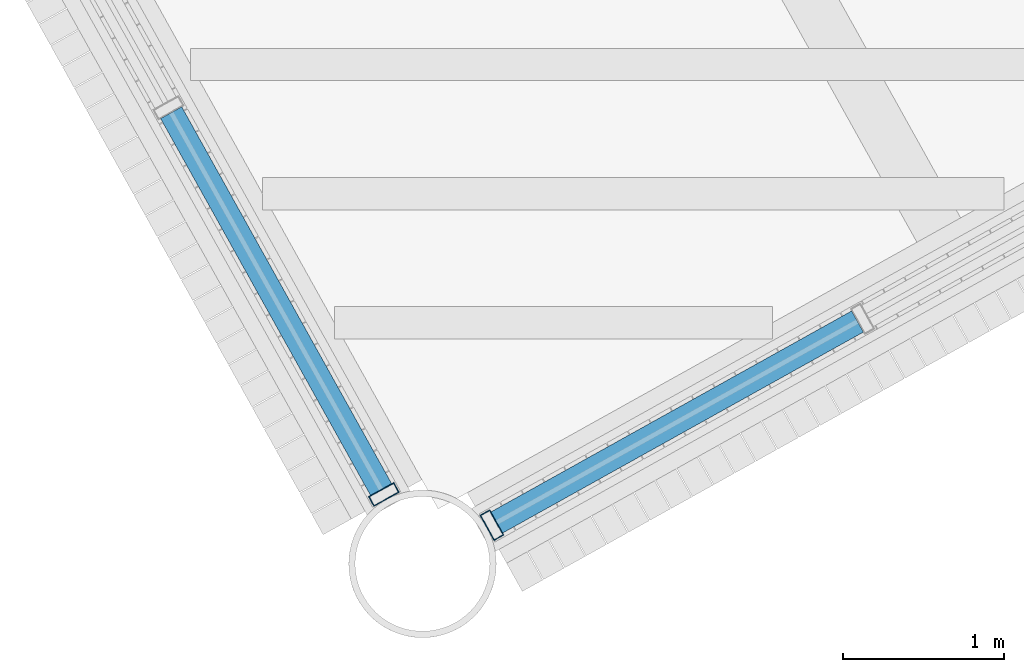
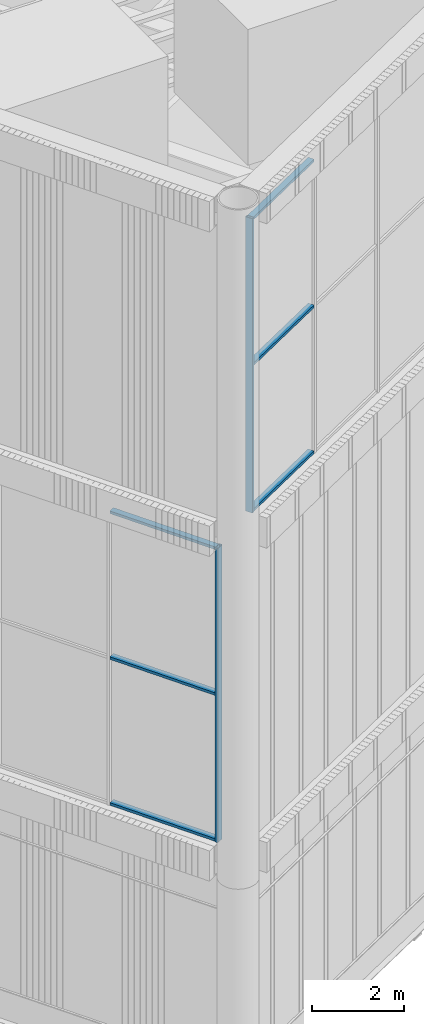
# One storey, part 2 of 117: 8 members, 2 elements without a shape of their own.
"""IFC4 building model written with IfcOpenShell, lengths in metres."""

from ifc_helpers import new_model, si_unit, direction, frame, origin, origin_2d, place, context, subcontext, project, spatial, hollow_rectangle, extrude, material, layer, layer_set, material_profile, profile_set, type_object, element, aggregate, save


model = new_model("IFC4")

# Units and contexts
model_context = context("Model", 3, precision=1e-05, world=origin(), true_north=direction((0.0, 1.0)))
body_context = subcontext(model_context, "Body", "Model", "MODEL_VIEW")
ifc_project = project(units=[si_unit("LENGTHUNIT", "METRE"), si_unit("AREAUNIT", "SQUARE_METRE"), si_unit("VOLUMEUNIT", "CUBIC_METRE"), si_unit("PLANEANGLEUNIT", "RADIAN"), si_unit("MASSUNIT", "GRAM", prefix="KILO")], contexts=[model_context])

# Site, building, storey
site_placement = place(None, origin())
site = spatial("IfcSite", under=ifc_project, at=site_placement, CompositionType="ELEMENT")
building_placement = place(site_placement, origin())
building = spatial("IfcBuilding", under=site, at=building_placement, Name="Tarsis Ring Headquarters", CompositionType="ELEMENT")
storey_placement = place(building_placement, frame((0.0, 0.0, 403.60009765625)))
storey = spatial("IfcBuildingStorey", under=building, at=storey_placement, Name="L95", CompositionType="ELEMENT", Elevation=403.60009765625)

# Curtain wall, member
ifc_material_1 = material(Name="Aluminium curtain wall", Category="aluminium")
ifc_layer = layer(ifc_material_1, 0.179931640625)
ifc_layer_set = layer_set([ifc_layer], Name="Curtain wall crown glazing")
curtain_wall_type = type_object("IfcCurtainWallType", Name="Curtain wall crown glazing", PredefinedType="NOTDEFINED", material=ifc_layer_set)
curtain_wall_1_placement = place(storey_placement, origin())
curtain_wall_1 = element("IfcCurtainWall", 1, at=curtain_wall_1_placement, inside=storey, type_object=curtain_wall_type, Name="Crown glazing L17", PredefinedType="NOTDEFINED")
ifc_material_2 = material(Name="Aluminium mullion", Category="aluminium")
ifc_material_profile_1 = material_profile(ifc_material_2, hollow_rectangle(XDim=0.179931640625, YDim=0.070068359375, WallThickness=0.0048828125, at=origin_2d()), Name="RHS 180x70x5")
ifc_profile_set_1 = profile_set([ifc_material_profile_1], Name="Aluminium mullion")
member_type_1 = type_object("IfcMemberType", Name="Crown glazing mullion RHS 180x70x5", PredefinedType="MULLION", material=ifc_profile_set_1)
member_1_placement = place(storey_placement, frame((-30.42724609375, -33.32763671875, 5.7998046875), z_axis=(0.0, 0.0, 1.0), x_axis=(0.873602422445, 0.486640326625, 0.0)))
member_1 = element("IfcMember", 2, at=member_1_placement, type_object=member_type_1, Name="CW-C mullion 6", PredefinedType="MULLION", context=body_context, shape_type="SweptSolid", body=[
    extrude(hollow_rectangle(XDim=0.179931640625, YDim=0.070068359375, WallThickness=0.0048828125, at=origin_2d()), origin(), (0.0, 0.0, 1.0), 7.800048828125),
])

curtain_wall_2_placement = place(storey_placement, origin())
curtain_wall_2 = element("IfcCurtainWall", 3, at=curtain_wall_2_placement, inside=storey, type_object=curtain_wall_type, Name="Crown glazing U18", PredefinedType="NOTDEFINED")
member_2_placement = place(storey_placement, frame((-29.758056640625, -33.51806640625, 14.39990234375), z_axis=(0.0, 0.0, 1.0), x_axis=(-0.486640354177, 0.873602407098, 0.0)))
member_2 = element("IfcMember", 4, at=member_2_placement, type_object=member_type_1, Name="CW-C mullion 1", PredefinedType="MULLION", context=body_context, shape_type="SweptSolid", body=[
    extrude(hollow_rectangle(XDim=0.179931640625, YDim=0.070068359375, WallThickness=0.0048828125, at=origin_2d()), origin(), (0.0, 0.0, 1.0), 7.800048828125),
])

# Member
ifc_material_3 = material(Name="Aluminium transom", Category="aluminium")
ifc_material_profile_2 = material_profile(ifc_material_3, hollow_rectangle(XDim=0.14990234375, YDim=0.070068359375, WallThickness=0.0048828125, at=origin_2d()), Name="RHS 150x70x5")
ifc_profile_set_2 = profile_set([ifc_material_profile_2], Name="Aluminium transom")
member_type_2 = type_object("IfcMemberType", Name="Crown glazing transom RHS 150x70x5", PredefinedType="USERDEFINED", material=ifc_profile_set_2)
member_3_placement = place(storey_placement, frame((-31.744873046875, -30.962646484375, 5.8349609375), z_axis=(0.486674270499, -0.873583513143, 0.0), x_axis=(0.873583513143, 0.486674270499, 0.0)))
member_3 = element("IfcMember", 5, at=member_3_placement, type_object=member_type_2, Name="CW-C transom 5.1", ObjectType="TRANSOM", PredefinedType="USERDEFINED", context=body_context, shape_type="SweptSolid", body=[
    extrude(hollow_rectangle(XDim=0.14990234375, YDim=0.070068359375, WallThickness=0.0048828125, at=origin_2d()), origin(), (0.0, 0.0, 1.0), 2.67236328125),
])

member_4_placement = place(storey_placement, frame((-31.744873046875, -30.962646484375, 9.699951171875), z_axis=(0.486674270499, -0.873583513143, 0.0), x_axis=(0.873583513143, 0.486674270499, 0.0)))
member_4 = element("IfcMember", 6, at=member_4_placement, type_object=member_type_2, Name="CW-C transom 5.2", ObjectType="TRANSOM", PredefinedType="USERDEFINED", context=body_context, shape_type="SweptSolid", body=[
    extrude(hollow_rectangle(XDim=0.14990234375, YDim=0.070068359375, WallThickness=0.0048828125, at=origin_2d()), origin(), (0.0, 0.0, 1.0), 2.67236328125),
])

member_5_placement = place(storey_placement, frame((-31.744873046875, -30.962646484375, 13.56494140625), z_axis=(0.486674270499, -0.873583513143, 0.0), x_axis=(0.873583513143, 0.486674270499, 0.0)))
member_5 = element("IfcMember", 7, at=member_5_placement, type_object=member_type_2, Name="CW-C transom 5.3", ObjectType="TRANSOM", PredefinedType="USERDEFINED", context=body_context, shape_type="SweptSolid", body=[
    extrude(hollow_rectangle(XDim=0.14990234375, YDim=0.070068359375, WallThickness=0.0048828125, at=origin_2d()), origin(), (0.0, 0.0, 1.0), 2.67236328125),
])

aggregate(curtain_wall_1, [member_1, member_3, member_4, member_5])

member_6_placement = place(storey_placement, frame((-29.7275390625, -33.5009765625, 14.434814453125), z_axis=(0.873607398367, 0.486631393889, 0.0), x_axis=(-0.486631393889, 0.873607398367, 0.0)))
member_6 = element("IfcMember", 8, at=member_6_placement, type_object=member_type_2, Name="CW-C transom 1.1", ObjectType="TRANSOM", PredefinedType="USERDEFINED", context=body_context, shape_type="SweptSolid", body=[
    extrude(hollow_rectangle(XDim=0.14990234375, YDim=0.070068359375, WallThickness=0.0048828125, at=origin_2d()), origin(), (0.0, 0.0, 1.0), 2.5576171875),
])

member_7_placement = place(storey_placement, frame((-29.7275390625, -33.5009765625, 18.2998046875), z_axis=(0.873607398367, 0.486631393889, 0.0), x_axis=(-0.486631393889, 0.873607398367, 0.0)))
member_7 = element("IfcMember", 9, at=member_7_placement, type_object=member_type_2, Name="CW-C transom 1.2", ObjectType="TRANSOM", PredefinedType="USERDEFINED", context=body_context, shape_type="SweptSolid", body=[
    extrude(hollow_rectangle(XDim=0.14990234375, YDim=0.070068359375, WallThickness=0.0048828125, at=origin_2d()), origin(), (0.0, 0.0, 1.0), 2.5576171875),
])

member_8_placement = place(storey_placement, frame((-29.7275390625, -33.5009765625, 22.164794921875), z_axis=(0.873607398367, 0.486631393889, 0.0), x_axis=(-0.486631393889, 0.873607398367, 0.0)))
member_8 = element("IfcMember", 10, at=member_8_placement, type_object=member_type_2, Name="CW-C transom 1.3", ObjectType="TRANSOM", PredefinedType="USERDEFINED", context=body_context, shape_type="SweptSolid", body=[
    extrude(hollow_rectangle(XDim=0.14990234375, YDim=0.070068359375, WallThickness=0.0048828125, at=origin_2d()), origin(), (0.0, 0.0, 1.0), 2.5576171875),
])

aggregate(curtain_wall_2, [member_2, member_6, member_7, member_8])

save(model, "model.ifc")
